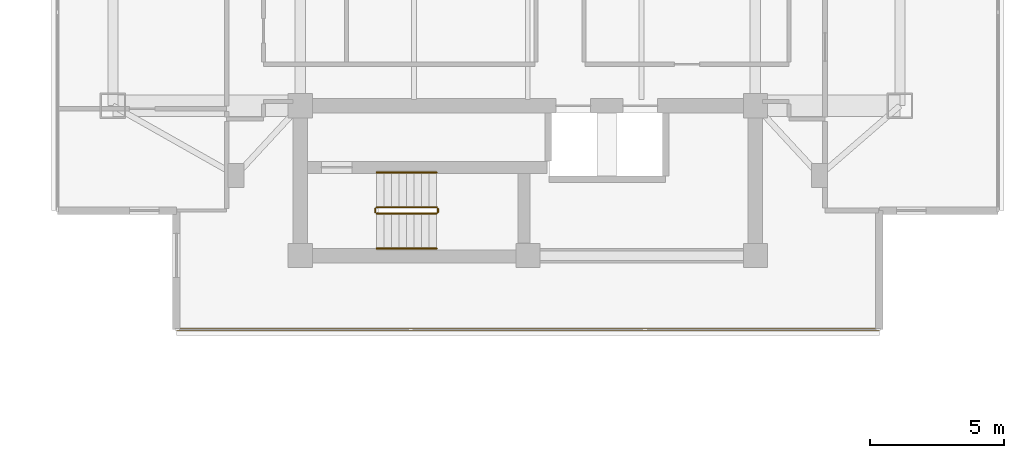
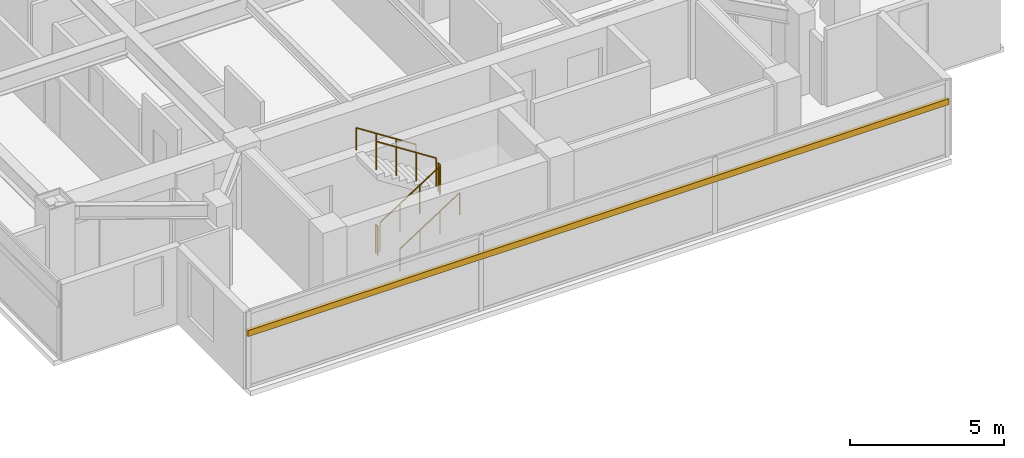
# One storey, part 22 of 24: 6 railings, 1 shading device.
"""IFC4 building model written with IfcOpenShell, lengths in metres."""

from ifc_helpers import new_model, si_unit, direction, frame, origin, origin_2d, place, context, subcontext, project, spatial, rectangle, circle, extrude, material, material_profile, profile_set, type_object, element, save


model = new_model("IFC4")

# Units and contexts
model_context = context("Model", 3, precision=1e-05, world=origin(), true_north=direction((0.0, 1.0)))
body_context = subcontext(model_context, "Body", "Model", "MODEL_VIEW")
ifc_project = project(units=[si_unit("LENGTHUNIT", "METRE"), si_unit("AREAUNIT", "SQUARE_METRE"), si_unit("VOLUMEUNIT", "CUBIC_METRE"), si_unit("PLANEANGLEUNIT", "RADIAN"), si_unit("MASSUNIT", "GRAM", prefix="KILO")], contexts=[model_context])

# Site, building, storey
site_placement = place(None, origin())
site = spatial("IfcSite", under=ifc_project, at=site_placement, CompositionType="ELEMENT")
building_placement = place(site_placement, origin())
building = spatial("IfcBuilding", under=site, at=building_placement, Name="Mirazonda Arch Towers", CompositionType="ELEMENT")
storey_placement = place(building_placement, frame((0.0, 0.0, 199.89990234375)))
storey = spatial("IfcBuildingStorey", under=building, at=storey_placement, Name="L57", CompositionType="ELEMENT", Elevation=199.89990234375)

# Shading device
ifc_material_1 = material(Name="Kiln-Fired Architectural Terracotta", Category="masonry")
ifc_material_profile = material_profile(ifc_material_1, rectangle(XDim=0.1201171875, YDim=0.239990234375, at=origin_2d()), Name="TERRA-BAG-120x240")
ifc_profile_set = profile_set([ifc_material_profile], Name="Kiln-Fired Architectural Terracotta")
shading_device_type = type_object("IfcShadingDeviceType", Name="BAGUETTE-1", PredefinedType="USERDEFINED", material=ifc_profile_set)
shading_device_placement = place(storey_placement, frame((89.627685546875, 12.445068359375, 2.181640625), z_axis=(-1.0, 0.0, 0.0), x_axis=(0.0, -1.0, 0.0)))
element("IfcShadingDevice", 1, at=shading_device_placement, inside=storey, type_object=shading_device_type, Name="L57 Glazed Terracotta Sun-Screen Baguette CW-L57-T2-S", ObjectType="BAGUETTE", PredefinedType="USERDEFINED", context=body_context, shape_type="SweptSolid", body=[
    extrude(rectangle(XDim=0.1201171875, YDim=0.239990234375, at=origin_2d()), origin(), (0.0, 0.0, 1.0), 26.25537109375),
])

# Railings
ifc_material_2 = material(Name="Architectural Brushed Steel S355", Category="steel")
railing_type_1 = type_object("IfcRailingType", Name="GUARD-STAIR-1120", PredefinedType="GUARDRAIL", material=ifc_material_2)
railing_1_placement = place(storey_placement, frame((70.85009765625, 16.77001953125, 0.1806640625)))
element("IfcRailing", 2, at=railing_1_placement, inside=storey, type_object=railing_type_1, Name="L57 ST-T2S stair guard 1", PredefinedType="GUARDRAIL", context=body_context, shape_type="SweptSolid", body=[
    extrude(circle(Radius=0.02392578125, at=origin_2d()), frame((0.0, 0.0, 1.1259765625), z_axis=(0.840436612492, 0.0, 0.541909863706), x_axis=(0.0, 1.0, 0.0)), (0.0, 0.0, 1.0), 2.665283203125),
    extrude(circle(Radius=0.02099609375, at=origin_2d()), origin(), (0.0, 0.0, 1.0), 1.101806640625),
    extrude(circle(Radius=0.02099609375, at=origin_2d()), frame((0.74658203125, 0.0, 0.4814453125)), (0.0, 0.0, 1.0), 1.101806640625),
    extrude(circle(Radius=0.02099609375, at=origin_2d()), frame((1.493408203125, 0.0, 0.962890625)), (0.0, 0.0, 1.0), 1.101806640625),
    extrude(circle(Radius=0.02099609375, at=origin_2d()), frame((2.239990234375, 0.0, 1.4443359375)), (0.0, 0.0, 1.0), 1.101806640625),
])
railing_2_placement = place(storey_placement, frame((73.139892578125, 16.820068359375, 1.625)))
element("IfcRailing", 3, at=railing_2_placement, inside=storey, type_object=railing_type_1, Name="L57 ST-T2S stair guard 2", PredefinedType="GUARDRAIL", context=body_context, shape_type="SweptSolid", body=[
    extrude(circle(Radius=0.02392578125, at=origin_2d()), frame((0.0, 0.0, 1.1259765625), z_axis=(0.0, 1.0, 0.0), x_axis=(-1.0, 0.0, 0.0)), (0.0, 0.0, 1.0), 0.139892578125),
    extrude(circle(Radius=0.02099609375, at=origin_2d()), origin(), (0.0, 0.0, 1.0), 1.101806640625),
    extrude(circle(Radius=0.02099609375, at=origin_2d()), frame((0.0, 0.139892578125, 0.0)), (0.0, 0.0, 1.0), 1.101806640625),
])
railing_3_placement = place(storey_placement, frame((73.090087890625, 17.010009765625, 1.8056640625)))
element("IfcRailing", 4, at=railing_3_placement, inside=storey, type_object=railing_type_1, Name="L57 ST-T2S stair guard 3", PredefinedType="GUARDRAIL", context=body_context, shape_type="SweptSolid", body=[
    extrude(circle(Radius=0.02392578125, at=origin_2d()), frame((0.0, 0.0, 1.1259765625), z_axis=(-0.840436612492, 0.0, 0.541909863706), x_axis=(0.0, -1.0, 0.0)), (0.0, 0.0, 1.0), 2.665283203125),
    extrude(circle(Radius=0.02099609375, at=origin_2d()), origin(), (0.0, 0.0, 1.0), 1.101806640625),
    extrude(circle(Radius=0.02099609375, at=origin_2d()), frame((-0.74658203125, 0.0, 0.4814453125)), (0.0, 0.0, 1.0), 1.101806640625),
    extrude(circle(Radius=0.02099609375, at=origin_2d()), frame((-1.493408203125, 0.0, 0.962890625)), (0.0, 0.0, 1.0), 1.101806640625),
    extrude(circle(Radius=0.02099609375, at=origin_2d()), frame((-2.239990234375, 0.0, 1.4443359375)), (0.0, 0.0, 1.0), 1.101806640625),
])
railing_4_placement = place(storey_placement, frame((70.800048828125, 16.820068359375, 0.0)))
element("IfcRailing", 5, at=railing_4_placement, inside=storey, type_object=railing_type_1, Name="L57 ST-T2S stair guard 4", PredefinedType="GUARDRAIL", context=body_context, shape_type="SweptSolid", body=[
    extrude(circle(Radius=0.02392578125, at=origin_2d()), frame((0.0, 0.0, 1.1259765625), z_axis=(0.0, 1.0, 0.0), x_axis=(-1.0, 0.0, 0.0)), (0.0, 0.0, 1.0), 0.139892578125),
    extrude(circle(Radius=0.02099609375, at=origin_2d()), origin(), (0.0, 0.0, 1.0), 1.101806640625),
    extrude(circle(Radius=0.02099609375, at=origin_2d()), frame((0.0, 0.139892578125, 0.0)), (0.0, 0.0, 1.0), 1.101806640625),
])
railing_type_2 = type_object("IfcRailingType", Name="HANDRAIL-915", PredefinedType="HANDRAIL", material=ifc_material_2)
railing_5_placement = place(storey_placement, frame((70.85009765625, 15.469970703125, 0.1806640625)))
element("IfcRailing", 6, at=railing_5_placement, inside=storey, type_object=railing_type_2, Name="L57 ST-T2S stair handrail 1", PredefinedType="HANDRAIL", context=body_context, shape_type="SweptSolid", body=[
    extrude(circle(Radius=0.02392578125, at=origin_2d()), frame((0.0, 0.0, 0.8759765625), z_axis=(0.840436612492, 0.0, 0.541909863706), x_axis=(0.0, 1.0, 0.0)), (0.0, 0.0, 1.0), 2.665283203125),
    extrude(circle(Radius=0.02099609375, at=origin_2d()), origin(), (0.0, 0.0, 1.0), 0.851806640625),
    extrude(circle(Radius=0.02099609375, at=origin_2d()), frame((0.74658203125, 0.0, 0.4814453125)), (0.0, 0.0, 1.0), 0.851806640625),
    extrude(circle(Radius=0.02099609375, at=origin_2d()), frame((1.493408203125, 0.0, 0.962890625)), (0.0, 0.0, 1.0), 0.851806640625),
    extrude(circle(Radius=0.02099609375, at=origin_2d()), frame((2.239990234375, 0.0, 1.4443359375)), (0.0, 0.0, 1.0), 0.851806640625),
])
railing_6_placement = place(storey_placement, frame((73.090087890625, 18.31005859375, 1.8056640625)))
element("IfcRailing", 7, at=railing_6_placement, inside=storey, type_object=railing_type_2, Name="L57 ST-T2S stair handrail 2", PredefinedType="HANDRAIL", context=body_context, shape_type="SweptSolid", body=[
    extrude(circle(Radius=0.02392578125, at=origin_2d()), frame((0.0, 0.0, 0.8759765625), z_axis=(-0.840436612492, 0.0, 0.541909863706), x_axis=(0.0, -1.0, 0.0)), (0.0, 0.0, 1.0), 2.665283203125),
    extrude(circle(Radius=0.02099609375, at=origin_2d()), origin(), (0.0, 0.0, 1.0), 0.851806640625),
    extrude(circle(Radius=0.02099609375, at=origin_2d()), frame((-0.74658203125, 0.0, 0.4814453125)), (0.0, 0.0, 1.0), 0.851806640625),
    extrude(circle(Radius=0.02099609375, at=origin_2d()), frame((-1.493408203125, 0.0, 0.962890625)), (0.0, 0.0, 1.0), 0.851806640625),
    extrude(circle(Radius=0.02099609375, at=origin_2d()), frame((-2.239990234375, 0.0, 1.4443359375)), (0.0, 0.0, 1.0), 0.851806640625),
])

save(model, "model.ifc")
